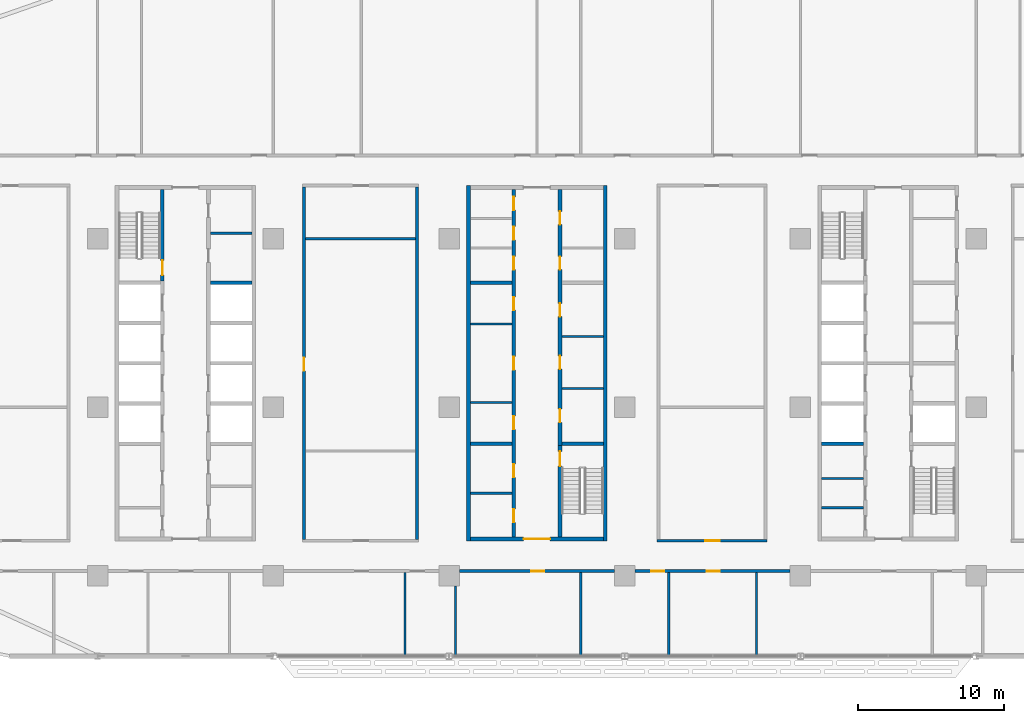
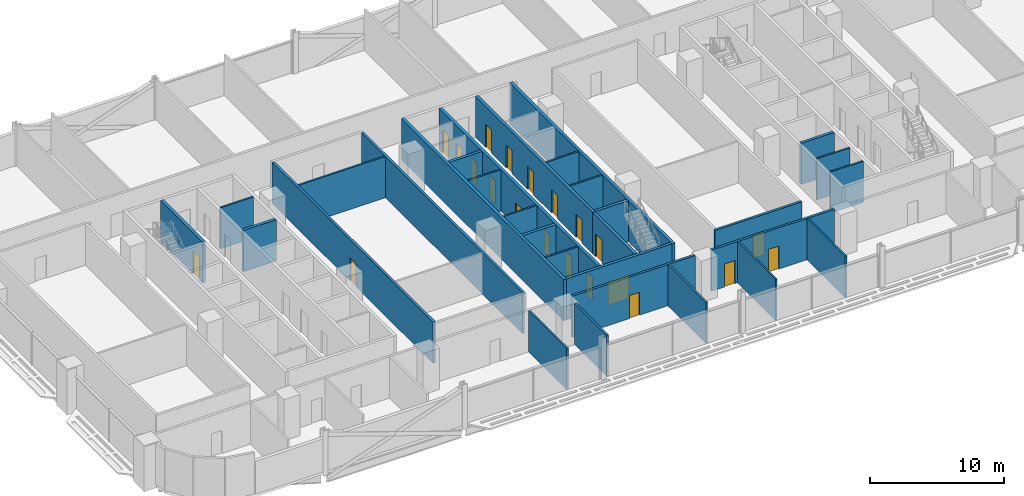
# One storey, part 13 of 29: 31 walls, 21 doors, 21 openings.
"""IFC4 building model written with IfcOpenShell, lengths in metres."""

from ifc_helpers import new_model, si_unit, direction, frame, frame_2d, origin, place, context, subcontext, project, spatial, rectangle, extrude, material, layer, layer_set, type_object, element, fill, save


model = new_model("IFC4")

# Units and contexts
model_context = context("Model", 3, precision=1e-05, world=origin(), true_north=direction((0.0, 1.0)))
body_context = subcontext(model_context, "Body", "Model", "MODEL_VIEW")
ifc_project = project(units=[si_unit("LENGTHUNIT", "METRE"), si_unit("AREAUNIT", "SQUARE_METRE"), si_unit("VOLUMEUNIT", "CUBIC_METRE"), si_unit("PLANEANGLEUNIT", "RADIAN"), si_unit("MASSUNIT", "GRAM", prefix="KILO")], contexts=[model_context])

# Site, building, storey
site_placement = place(None, origin())
site = spatial("IfcSite", under=ifc_project, at=site_placement, CompositionType="ELEMENT")
building_placement = place(site_placement, origin())
building = spatial("IfcBuilding", under=site, at=building_placement, Name="Mahtab Terrace Research Tower", CompositionType="ELEMENT")
storey_placement = place(building_placement, frame((0.0, 0.0, 88.89990234375)))
storey = spatial("IfcBuildingStorey", under=building, at=storey_placement, Name="L20", CompositionType="ELEMENT", Elevation=88.89990234375)

# Walls
ifc_material_1 = material(Name="Gypsum board partition")
ifc_layer_1 = layer(ifc_material_1, 0.14990234375)
ifc_layer_set_1 = layer_set([ifc_layer_1], Name="Core partition 150")
wall_type_1 = type_object("IfcWallType", Name="Core partition 150", PredefinedType="PARTITIONING", material=ifc_layer_set_1)
for number, where, z_axis, x_axis, name in (
    (1, (-22.300048828125, 11.875, 0.0), (0.0, 0.0, 1.0), (1.0, 0.0, 0.0), "Core wall A pEN888"),
    (2, (-4.550048828125, 0.3125, 0.0), (0.0, 0.0, 1.0), (1.0, 0.0, 0.0), "Core wall B pWL-269"),
    (3, (-4.550048828125, 5.6875, 0.0), (0.0, 0.0, 1.0), (1.0, 0.0, 0.0), "Core wall B pWL269"),
    (4, (1.699951171875, 1.280029296875, 0.0), (0.0, 0.0, 1.0), (1.0, 0.0, 0.0), "Core wall B pEL-172"),
    (5, (1.699951171875, 4.827392578125, 0.0), (0.0, 0.0, 1.0), (1.0, 0.0, 0.0), "Core wall B pEL183"),
    (6, (-4.550048828125, -5.875, 0.0), (0.0, 0.0, 1.0), (1.0, 0.0, 0.0), "Core wall B pWS-888"),
    (7, (19.449951171875, -6.875, 0.0), (0.0, 0.0, 1.0), (1.0, 0.0, 0.0), "Core wall C pWS-988"),
    (8, (19.449951171875, -4.875, 0.0), (0.0, 0.0, 1.0), (1.0, 0.0, 0.0), "Core wall C pWS-788"),
):
    element("IfcWall", number, at=place(storey_placement, frame(where, z_axis=z_axis, x_axis=x_axis)), inside=storey, type_object=wall_type_1, Name=name, PredefinedType="PARTITIONING", context=body_context, shape_type="SweptSolid", body=[
        extrude(rectangle(XDim=2.85009765625, YDim=0.14990234375, at=frame_2d((1.425048828125, 0.0))), origin(), (0.0, 0.0, 1.0), 3.760009765625),
    ])

# Wall, opening, door
ifc_material_2 = material(Name="Concrete C70/85", Category="concrete")
ifc_layer_2 = layer(ifc_material_2, 0.25)
ifc_layer_set_2 = layer_set([ifc_layer_2], Name="Core wall 250")
wall_type_2 = type_object("IfcWallType", Name="Core wall 250", PredefinedType="SOLIDWALL", material=ifc_layer_set_2)
wall_1_placement = place(storey_placement, frame((-25.574951171875, 14.875, 0.0), z_axis=(0.0, 0.0, 1.0), x_axis=(0.0, -1.0, 0.0)))
wall_1 = element("IfcWall", 9, at=wall_1_placement, inside=storey, type_object=wall_type_2, Name="Core wall A innerWN", PredefinedType="SOLIDWALL", context=body_context, shape_type="SweptSolid", body=[
    extrude(rectangle(XDim=6.25, YDim=0.25, at=frame_2d((3.125, 0.0))), origin(), (0.0, 0.0, 1.0), 3.760009765625),
])
opening_1_placement = place(wall_1_placement, frame((4.85009765625, 0.0, 0.0)))
opening_1 = element("IfcOpeningElement", 10, at=opening_1_placement, cuts=wall_1, Name="Opening A-ST1", PredefinedType="OPENING", context=body_context, shape_type="SweptSolid", body=[
    extrude(rectangle(XDim=1.0, YDim=2.10009765625, at=frame_2d((0.5, 1.050048828125))), frame((0.0, 0.135009765625, 0.0), z_axis=(0.0, -1.0, 0.0), x_axis=(1.0, 0.0, 0.0)), (0.0, 0.0, 1.0), 0.27001953125),
])
ifc_material_3 = material(Name="Steel fire door", Category="steel")
door_type_1 = type_object("IfcDoorType", Name="Stair door 1000x2100 1.5 HR", OperationType="NOTDEFINED", PredefinedType="DOOR", material=ifc_material_3)
door_1_placement = place(opening_1_placement, origin())
door_1 = element("IfcDoor", 11, at=door_1_placement, inside=storey, type_object=door_type_1, Name="Stair door ST1 L20", OperationType="SINGLE_SWING_LEFT", OverallHeight=2.10009765625, OverallWidth=1.0, PredefinedType="DOOR", context=body_context, shape_type="SweptSolid", body=[
    extrude(rectangle(XDim=1.0, YDim=2.10009765625, at=frame_2d((0.5, 1.050048828125))), frame((0.0, 0.02490234375, 0.0), z_axis=(0.0, -1.0, 0.0), x_axis=(1.0, 0.0, 0.0)), (0.0, 0.0, 1.0), 0.050048828125),
])
fill(opening_1, door_1)

# Walls
wall_2_placement = place(storey_placement, frame((-22.300048828125, 8.5, 0.0), z_axis=(0.0, 0.0, 1.0), x_axis=(1.0, 0.0, 0.0)))
element("IfcWall", 12, at=wall_2_placement, inside=storey, type_object=wall_type_2, Name="Core wall A divE4", PredefinedType="SOLIDWALL", context=body_context, shape_type="SweptSolid", body=[
    extrude(rectangle(XDim=2.85009765625, YDim=0.25, at=frame_2d((1.425048828125, 0.0))), origin(), (0.0, 0.0, 1.0), 3.760009765625),
])
for number, where, z_axis, x_axis, name in (
    (13, (-4.675048828125, 15.125, 0.0), (0.0, 0.0, 1.0), (0.0, -1.0, 0.0), "Core wall B outerW"),
    (14, (4.675048828125, -9.125, 0.0), (0.0, 0.0, 1.0), (0.0, 1.0, 0.0), "Core wall B outerE"),
):
    element("IfcWall", number, at=place(storey_placement, frame(where, z_axis=z_axis, x_axis=x_axis)), inside=storey, type_object=wall_type_2, Name=name, PredefinedType="SOLIDWALL", context=body_context, shape_type="SweptSolid", body=[
        extrude(rectangle(XDim=24.25, YDim=0.25, at=frame_2d((12.125, 0.0))), origin(), (0.0, 0.0, 1.0), 3.760009765625),
    ])

# Wall, opening, door
wall_3_placement = place(storey_placement, frame((4.550048828125, -9.0, 0.0), z_axis=(0.0, 0.0, 1.0), x_axis=(-1.0, 0.0, 0.0)))
wall_3 = element("IfcWall", 15, at=wall_3_placement, inside=storey, type_object=wall_type_2, Name="Core wall B endS", PredefinedType="SOLIDWALL", context=body_context, shape_type="SweptSolid", body=[
    extrude(rectangle(XDim=9.10009765625, YDim=0.25, at=frame_2d((4.550048828125, 0.0))), origin(), (0.0, 0.0, 1.0), 3.760009765625),
])
opening_2_placement = place(wall_3_placement, frame((3.64990234375, 0.0, 0.0)))
opening_2 = element("IfcOpeningElement", 16, at=opening_2_placement, cuts=wall_3, Name="Opening B-S1", PredefinedType="OPENING", context=body_context, shape_type="SweptSolid", body=[
    extrude(rectangle(XDim=1.800048828125, YDim=2.10009765625, at=frame_2d((0.89990234375, 1.050048828125))), frame((0.0, 0.135009765625, 0.0), z_axis=(0.0, -1.0, 0.0), x_axis=(1.0, 0.0, 0.0)), (0.0, 0.0, 1.0), 0.27001953125),
])
door_type_2 = type_object("IfcDoorType", Name="Lobby double door 1800x2100 1 HR", OperationType="DOUBLE_DOOR_SINGLE_SWING", PredefinedType="DOOR", material=ifc_material_3)
door_2_placement = place(opening_2_placement, origin())
door_2 = element("IfcDoor", 17, at=door_2_placement, inside=storey, type_object=door_type_2, Name="Core entrance door B S", OperationType="DOUBLE_DOOR_SINGLE_SWING", OverallHeight=2.10009765625, OverallWidth=1.800048828125, PredefinedType="DOOR", context=body_context, shape_type="SweptSolid", body=[
    extrude(rectangle(XDim=1.800048828125, YDim=2.10009765625, at=frame_2d((0.89990234375, 1.050048828125))), frame((0.0, 0.02490234375, 0.0), z_axis=(0.0, -1.0, 0.0), x_axis=(1.0, 0.0, 0.0)), (0.0, 0.0, 1.0), 0.050048828125),
])
fill(opening_2, door_2)

# Wall, openings, doors
wall_4_placement = place(storey_placement, frame((-1.574951171875, -8.875, 0.0), z_axis=(0.0, 0.0, 1.0), x_axis=(0.0, 1.0, 0.0)))
wall_4 = element("IfcWall", 18, at=wall_4_placement, inside=storey, type_object=wall_type_2, Name="Core wall B innerWSLN", PredefinedType="SOLIDWALL", context=body_context, shape_type="SweptSolid", body=[
    extrude(rectangle(XDim=23.75, YDim=0.25, at=frame_2d((11.875, 0.0))), origin(), (0.0, 0.0, 1.0), 3.760009765625),
])
opening_3_placement = place(wall_4_placement, frame((7.356201171875, 0.0, 0.0)))
opening_3 = element("IfcOpeningElement", 19, at=opening_3_placement, cuts=wall_4, Name="Opening B-R1", PredefinedType="OPENING", context=body_context, shape_type="SweptSolid", body=[
    extrude(rectangle(XDim=0.89990234375, YDim=2.10009765625, at=frame_2d((0.449951171875, 1.050048828125))), frame((0.0, 0.135009765625, 0.0), z_axis=(0.0, -1.0, 0.0), x_axis=(1.0, 0.0, 0.0)), (0.0, 0.0, 1.0), 0.27001953125),
])
opening_4_placement = place(wall_4_placement, frame((11.425048828125, 0.0, 0.0)))
opening_4 = element("IfcOpeningElement", 20, at=opening_4_placement, cuts=wall_4, Name="Opening B-R2", PredefinedType="OPENING", context=body_context, shape_type="SweptSolid", body=[
    extrude(rectangle(XDim=0.89990234375, YDim=2.10009765625, at=frame_2d((0.449951171875, 1.050048828125))), frame((0.0, 0.135009765625, 0.0), z_axis=(0.0, -1.0, 0.0), x_axis=(1.0, 0.0, 0.0)), (0.0, 0.0, 1.0), 0.27001953125),
])
opening_5_placement = place(wall_4_placement, frame((15.493896484375, 0.0, 0.0)))
opening_5 = element("IfcOpeningElement", 21, at=opening_5_placement, cuts=wall_4, Name="Opening B-R3", PredefinedType="OPENING", context=body_context, shape_type="SweptSolid", body=[
    extrude(rectangle(XDim=0.89990234375, YDim=2.10009765625, at=frame_2d((0.449951171875, 1.050048828125))), frame((0.0, 0.135009765625, 0.0), z_axis=(0.0, -1.0, 0.0), x_axis=(1.0, 0.0, 0.0)), (0.0, 0.0, 1.0), 0.27001953125),
])
opening_6_placement = place(wall_4_placement, frame((1.012451171875, 0.0, 0.0)))
opening_6 = element("IfcOpeningElement", 22, at=opening_6_placement, cuts=wall_4, Name="Opening B-R7", PredefinedType="OPENING", context=body_context, shape_type="SweptSolid", body=[
    extrude(rectangle(XDim=0.89990234375, YDim=2.10009765625, at=frame_2d((0.449951171875, 1.050048828125))), frame((0.0, 0.135009765625, 0.0), z_axis=(0.0, -1.0, 0.0), x_axis=(1.0, 0.0, 0.0)), (0.0, 0.0, 1.0), 0.27001953125),
])
opening_7_placement = place(wall_4_placement, frame((4.08740234375, 0.0, 0.0)))
opening_7 = element("IfcOpeningElement", 23, at=opening_7_placement, cuts=wall_4, Name="Opening B-R8", PredefinedType="OPENING", context=body_context, shape_type="SweptSolid", body=[
    extrude(rectangle(XDim=0.89990234375, YDim=2.10009765625, at=frame_2d((0.449951171875, 1.050048828125))), frame((0.0, 0.135009765625, 0.0), z_axis=(0.0, -1.0, 0.0), x_axis=(1.0, 0.0, 0.0)), (0.0, 0.0, 1.0), 0.27001953125),
])
opening_8_placement = place(wall_4_placement, frame((18.262451171875, 0.0, 0.0)))
opening_8 = element("IfcOpeningElement", 24, at=opening_8_placement, cuts=wall_4, Name="Opening B-R9", PredefinedType="OPENING", context=body_context, shape_type="SweptSolid", body=[
    extrude(rectangle(XDim=0.89990234375, YDim=2.10009765625, at=frame_2d((0.449951171875, 1.050048828125))), frame((0.0, 0.135009765625, 0.0), z_axis=(0.0, -1.0, 0.0), x_axis=(1.0, 0.0, 0.0)), (0.0, 0.0, 1.0), 0.27001953125),
])
opening_9_placement = place(wall_4_placement, frame((20.300048828125, 0.0, 0.0)))
opening_9 = element("IfcOpeningElement", 25, at=opening_9_placement, cuts=wall_4, Name="Opening B-R10", PredefinedType="OPENING", context=body_context, shape_type="SweptSolid", body=[
    extrude(rectangle(XDim=0.89990234375, YDim=2.10009765625, at=frame_2d((0.449951171875, 1.050048828125))), frame((0.0, 0.135009765625, 0.0), z_axis=(0.0, -1.0, 0.0), x_axis=(1.0, 0.0, 0.0)), (0.0, 0.0, 1.0), 0.27001953125),
])
opening_10_placement = place(wall_4_placement, frame((22.33740234375, 0.0, 0.0)))
opening_10 = element("IfcOpeningElement", 26, at=opening_10_placement, cuts=wall_4, Name="Opening B-R11", PredefinedType="OPENING", context=body_context, shape_type="SweptSolid", body=[
    extrude(rectangle(XDim=0.89990234375, YDim=2.10009765625, at=frame_2d((0.449951171875, 1.050048828125))), frame((0.0, 0.135009765625, 0.0), z_axis=(0.0, -1.0, 0.0), x_axis=(1.0, 0.0, 0.0)), (0.0, 0.0, 1.0), 0.27001953125),
])
door_type_3 = type_object("IfcDoorType", Name="Room door 900x2100 1 HR", OperationType="NOTDEFINED", PredefinedType="DOOR", material=ifc_material_3)
door_3_placement = place(opening_3_placement, origin())
door_3 = element("IfcDoor", 27, at=door_3_placement, inside=storey, type_object=door_type_3, Name="Comms room door", OperationType="SINGLE_SWING_LEFT", OverallHeight=2.10009765625, OverallWidth=0.89990234375, PredefinedType="DOOR", context=body_context, shape_type="SweptSolid", body=[
    extrude(rectangle(XDim=0.89990234375, YDim=2.10009765625, at=frame_2d((0.449951171875, 1.050048828125))), frame((0.0, 0.02490234375, 0.0), z_axis=(0.0, -1.0, 0.0), x_axis=(1.0, 0.0, 0.0)), (0.0, 0.0, 1.0), 0.050048828125),
])
fill(opening_3, door_3)
door_4_placement = place(opening_4_placement, origin())
door_4 = element("IfcDoor", 28, at=door_4_placement, inside=storey, type_object=door_type_3, Name="Meeting alcove door", OperationType="SINGLE_SWING_RIGHT", OverallHeight=2.10009765625, OverallWidth=0.89990234375, PredefinedType="DOOR", context=body_context, shape_type="SweptSolid", body=[
    extrude(rectangle(XDim=0.89990234375, YDim=2.10009765625, at=frame_2d((0.449951171875, 1.050048828125))), frame((0.0, 0.02490234375, 0.0), z_axis=(0.0, -1.0, 0.0), x_axis=(1.0, 0.0, 0.0)), (0.0, 0.0, 1.0), 0.050048828125),
])
fill(opening_4, door_4)
door_5_placement = place(opening_5_placement, origin())
door_5 = element("IfcDoor", 29, at=door_5_placement, inside=storey, type_object=door_type_3, Name="Linen store door", OperationType="SINGLE_SWING_LEFT", OverallHeight=2.10009765625, OverallWidth=0.89990234375, PredefinedType="DOOR", context=body_context, shape_type="SweptSolid", body=[
    extrude(rectangle(XDim=0.89990234375, YDim=2.10009765625, at=frame_2d((0.449951171875, 1.050048828125))), frame((0.0, 0.02490234375, 0.0), z_axis=(0.0, -1.0, 0.0), x_axis=(1.0, 0.0, 0.0)), (0.0, 0.0, 1.0), 0.050048828125),
])
fill(opening_5, door_5)
door_6_placement = place(opening_6_placement, origin())
door_6 = element("IfcDoor", 30, at=door_6_placement, inside=storey, type_object=door_type_3, Name="Housekeeping store door", OperationType="SINGLE_SWING_LEFT", OverallHeight=2.10009765625, OverallWidth=0.89990234375, PredefinedType="DOOR", context=body_context, shape_type="SweptSolid", body=[
    extrude(rectangle(XDim=0.89990234375, YDim=2.10009765625, at=frame_2d((0.449951171875, 1.050048828125))), frame((0.0, 0.02490234375, 0.0), z_axis=(0.0, -1.0, 0.0), x_axis=(1.0, 0.0, 0.0)), (0.0, 0.0, 1.0), 0.050048828125),
])
fill(opening_6, door_6)
door_7_placement = place(opening_7_placement, origin())
door_7 = element("IfcDoor", 31, at=door_7_placement, inside=storey, type_object=door_type_3, Name="Electrical riser room door", OperationType="SINGLE_SWING_RIGHT", OverallHeight=2.10009765625, OverallWidth=0.89990234375, PredefinedType="DOOR", context=body_context, shape_type="SweptSolid", body=[
    extrude(rectangle(XDim=0.89990234375, YDim=2.10009765625, at=frame_2d((0.449951171875, 1.050048828125))), frame((0.0, 0.02490234375, 0.0), z_axis=(0.0, -1.0, 0.0), x_axis=(1.0, 0.0, 0.0)), (0.0, 0.0, 1.0), 0.050048828125),
])
fill(opening_7, door_7)
door_8_placement = place(opening_8_placement, origin())
door_8 = element("IfcDoor", 32, at=door_8_placement, inside=storey, type_object=door_type_3, Name="Comms riser room door", OperationType="SINGLE_SWING_LEFT", OverallHeight=2.10009765625, OverallWidth=0.89990234375, PredefinedType="DOOR", context=body_context, shape_type="SweptSolid", body=[
    extrude(rectangle(XDim=0.89990234375, YDim=2.10009765625, at=frame_2d((0.449951171875, 1.050048828125))), frame((0.0, 0.02490234375, 0.0), z_axis=(0.0, -1.0, 0.0), x_axis=(1.0, 0.0, 0.0)), (0.0, 0.0, 1.0), 0.050048828125),
])
fill(opening_8, door_8)
door_9_placement = place(opening_9_placement, origin())
door_9 = element("IfcDoor", 33, at=door_9_placement, inside=storey, type_object=door_type_3, Name="Pantry door", OperationType="SINGLE_SWING_RIGHT", OverallHeight=2.10009765625, OverallWidth=0.89990234375, PredefinedType="DOOR", context=body_context, shape_type="SweptSolid", body=[
    extrude(rectangle(XDim=0.89990234375, YDim=2.10009765625, at=frame_2d((0.449951171875, 1.050048828125))), frame((0.0, 0.02490234375, 0.0), z_axis=(0.0, -1.0, 0.0), x_axis=(1.0, 0.0, 0.0)), (0.0, 0.0, 1.0), 0.050048828125),
])
fill(opening_9, door_9)
door_10_placement = place(opening_10_placement, origin())
door_10 = element("IfcDoor", 34, at=door_10_placement, inside=storey, type_object=door_type_3, Name="Cleaners store door", OperationType="SINGLE_SWING_LEFT", OverallHeight=2.10009765625, OverallWidth=0.89990234375, PredefinedType="DOOR", context=body_context, shape_type="SweptSolid", body=[
    extrude(rectangle(XDim=0.89990234375, YDim=2.10009765625, at=frame_2d((0.449951171875, 1.050048828125))), frame((0.0, 0.02490234375, 0.0), z_axis=(0.0, -1.0, 0.0), x_axis=(1.0, 0.0, 0.0)), (0.0, 0.0, 1.0), 0.050048828125),
])
fill(opening_10, door_10)

# Wall, opening, door
wall_5_placement = place(storey_placement, frame((1.574951171875, -8.875, 0.0), z_axis=(0.0, 0.0, 1.0), x_axis=(0.0, 1.0, 0.0)))
wall_5 = element("IfcWall", 35, at=wall_5_placement, inside=storey, type_object=wall_type_2, Name="Core wall B innerES", PredefinedType="SOLIDWALL", context=body_context, shape_type="SweptSolid", body=[
    extrude(rectangle(XDim=6.25, YDim=0.25, at=frame_2d((3.125, 0.0))), origin(), (0.0, 0.0, 1.0), 3.760009765625),
])
opening_11_placement = place(wall_5_placement, frame((4.85009765625, 0.0, 0.0)))
opening_11 = element("IfcOpeningElement", 36, at=opening_11_placement, cuts=wall_5, Name="Opening B-ST2", PredefinedType="OPENING", context=body_context, shape_type="SweptSolid", body=[
    extrude(rectangle(XDim=1.0, YDim=2.10009765625, at=frame_2d((0.5, 1.050048828125))), frame((0.0, 0.135009765625, 0.0), z_axis=(0.0, -1.0, 0.0), x_axis=(1.0, 0.0, 0.0)), (0.0, 0.0, 1.0), 0.27001953125),
])
door_11_placement = place(opening_11_placement, origin())
door_11 = element("IfcDoor", 37, at=door_11_placement, inside=storey, type_object=door_type_1, Name="Stair door ST2 L20", OperationType="SINGLE_SWING_RIGHT", OverallHeight=2.10009765625, OverallWidth=1.0, PredefinedType="DOOR", context=body_context, shape_type="SweptSolid", body=[
    extrude(rectangle(XDim=1.0, YDim=2.10009765625, at=frame_2d((0.5, 1.050048828125))), frame((0.0, 0.02490234375, 0.0), z_axis=(0.0, -1.0, 0.0), x_axis=(1.0, 0.0, 0.0)), (0.0, 0.0, 1.0), 0.050048828125),
])
fill(opening_11, door_11)

# Wall, openings, doors
wall_6_placement = place(storey_placement, frame((1.574951171875, 14.875, 0.0), z_axis=(0.0, 0.0, 1.0), x_axis=(0.0, -1.0, 0.0)))
wall_6 = element("IfcWall", 38, at=wall_6_placement, inside=storey, type_object=wall_type_2, Name="Core wall B innerELN", PredefinedType="SOLIDWALL", context=body_context, shape_type="SweptSolid", body=[
    extrude(rectangle(XDim=17.5, YDim=0.25, at=frame_2d((8.75, 0.0))), origin(), (0.0, 0.0, 1.0), 3.760009765625),
])
opening_12_placement = place(wall_6_placement, frame((15.010009765625, 0.0, 0.0)))
opening_12 = element("IfcOpeningElement", 39, at=opening_12_placement, cuts=wall_6, Name="Opening B-R4", PredefinedType="OPENING", context=body_context, shape_type="SweptSolid", body=[
    extrude(rectangle(XDim=0.89990234375, YDim=2.10009765625, at=frame_2d((0.449951171875, 1.050048828125))), frame((0.0, 0.135009765625, 0.0), z_axis=(0.0, -1.0, 0.0), x_axis=(1.0, 0.0, 0.0)), (0.0, 0.0, 1.0), 0.27001953125),
])
opening_13_placement = place(wall_6_placement, frame((11.37109375, 0.0, 0.0)))
opening_13 = element("IfcOpeningElement", 40, at=opening_13_placement, cuts=wall_6, Name="Opening B-R5", PredefinedType="OPENING", context=body_context, shape_type="SweptSolid", body=[
    extrude(rectangle(XDim=0.89990234375, YDim=2.10009765625, at=frame_2d((0.449951171875, 1.050048828125))), frame((0.0, 0.135009765625, 0.0), z_axis=(0.0, -1.0, 0.0), x_axis=(1.0, 0.0, 0.0)), (0.0, 0.0, 1.0), 0.27001953125),
])
opening_14_placement = place(wall_6_placement, frame((7.7861328125, 0.0, 0.0)))
opening_14 = element("IfcOpeningElement", 41, at=opening_14_placement, cuts=wall_6, Name="Opening B-R6", PredefinedType="OPENING", context=body_context, shape_type="SweptSolid", body=[
    extrude(rectangle(XDim=0.89990234375, YDim=2.10009765625, at=frame_2d((0.449951171875, 1.050048828125))), frame((0.0, 0.135009765625, 0.0), z_axis=(0.0, -1.0, 0.0), x_axis=(1.0, 0.0, 0.0)), (0.0, 0.0, 1.0), 0.27001953125),
])
opening_15_placement = place(wall_6_placement, frame((4.58740234375, 0.0, 0.0)))
opening_15 = element("IfcOpeningElement", 42, at=opening_15_placement, cuts=wall_6, Name="Opening B-R12", PredefinedType="OPENING", context=body_context, shape_type="SweptSolid", body=[
    extrude(rectangle(XDim=0.89990234375, YDim=2.10009765625, at=frame_2d((0.449951171875, 1.050048828125))), frame((0.0, 0.135009765625, 0.0), z_axis=(0.0, -1.0, 0.0), x_axis=(1.0, 0.0, 0.0)), (0.0, 0.0, 1.0), 0.27001953125),
])
opening_16_placement = place(wall_6_placement, frame((1.512451171875, 0.0, 0.0)))
opening_16 = element("IfcOpeningElement", 43, at=opening_16_placement, cuts=wall_6, Name="Opening B-R13", PredefinedType="OPENING", context=body_context, shape_type="SweptSolid", body=[
    extrude(rectangle(XDim=0.89990234375, YDim=2.10009765625, at=frame_2d((0.449951171875, 1.050048828125))), frame((0.0, 0.135009765625, 0.0), z_axis=(0.0, -1.0, 0.0), x_axis=(1.0, 0.0, 0.0)), (0.0, 0.0, 1.0), 0.27001953125),
])
door_12_placement = place(opening_12_placement, origin())
door_12 = element("IfcDoor", 44, at=door_12_placement, inside=storey, type_object=door_type_3, Name="Battery room door", OperationType="SINGLE_SWING_RIGHT", OverallHeight=2.10009765625, OverallWidth=0.89990234375, PredefinedType="DOOR", context=body_context, shape_type="SweptSolid", body=[
    extrude(rectangle(XDim=0.89990234375, YDim=2.10009765625, at=frame_2d((0.449951171875, 1.050048828125))), frame((0.0, 0.02490234375, 0.0), z_axis=(0.0, -1.0, 0.0), x_axis=(1.0, 0.0, 0.0)), (0.0, 0.0, 1.0), 0.050048828125),
])
fill(opening_12, door_12)
door_13_placement = place(opening_13_placement, origin())
door_13 = element("IfcDoor", 45, at=door_13_placement, inside=storey, type_object=door_type_3, Name="Cooling plant room door", OperationType="SINGLE_SWING_LEFT", OverallHeight=2.10009765625, OverallWidth=0.89990234375, PredefinedType="DOOR", context=body_context, shape_type="SweptSolid", body=[
    extrude(rectangle(XDim=0.89990234375, YDim=2.10009765625, at=frame_2d((0.449951171875, 1.050048828125))), frame((0.0, 0.02490234375, 0.0), z_axis=(0.0, -1.0, 0.0), x_axis=(1.0, 0.0, 0.0)), (0.0, 0.0, 1.0), 0.050048828125),
])
fill(opening_13, door_13)
door_14_placement = place(opening_14_placement, origin())
door_14 = element("IfcDoor", 46, at=door_14_placement, inside=storey, type_object=door_type_3, Name="Spare parts store door", OperationType="SINGLE_SWING_RIGHT", OverallHeight=2.10009765625, OverallWidth=0.89990234375, PredefinedType="DOOR", context=body_context, shape_type="SweptSolid", body=[
    extrude(rectangle(XDim=0.89990234375, YDim=2.10009765625, at=frame_2d((0.449951171875, 1.050048828125))), frame((0.0, 0.02490234375, 0.0), z_axis=(0.0, -1.0, 0.0), x_axis=(1.0, 0.0, 0.0)), (0.0, 0.0, 1.0), 0.050048828125),
])
fill(opening_14, door_14)
door_15_placement = place(opening_15_placement, origin())
door_15 = element("IfcDoor", 47, at=door_15_placement, inside=storey, type_object=door_type_3, Name="Accessible WC door", OperationType="SINGLE_SWING_RIGHT", OverallHeight=2.10009765625, OverallWidth=0.89990234375, PredefinedType="DOOR", context=body_context, shape_type="SweptSolid", body=[
    extrude(rectangle(XDim=0.89990234375, YDim=2.10009765625, at=frame_2d((0.449951171875, 1.050048828125))), frame((0.0, 0.02490234375, 0.0), z_axis=(0.0, -1.0, 0.0), x_axis=(1.0, 0.0, 0.0)), (0.0, 0.0, 1.0), 0.050048828125),
])
fill(opening_15, door_15)
door_16_placement = place(opening_16_placement, origin())
door_16 = element("IfcDoor", 48, at=door_16_placement, inside=storey, type_object=door_type_3, Name="WC block door", OperationType="SINGLE_SWING_LEFT", OverallHeight=2.10009765625, OverallWidth=0.89990234375, PredefinedType="DOOR", context=body_context, shape_type="SweptSolid", body=[
    extrude(rectangle(XDim=0.89990234375, YDim=2.10009765625, at=frame_2d((0.449951171875, 1.050048828125))), frame((0.0, 0.02490234375, 0.0), z_axis=(0.0, -1.0, 0.0), x_axis=(1.0, 0.0, 0.0)), (0.0, 0.0, 1.0), 0.050048828125),
])
fill(opening_16, door_16)

# Walls
for number, where, z_axis, x_axis, name in (
    (49, (-4.550048828125, -2.5, 0.0), (0.0, 0.0, 1.0), (1.0, 0.0, 0.0), "Core wall B divW0"),
    (50, (-4.550048828125, 8.5, 0.0), (0.0, 0.0, 1.0), (1.0, 0.0, 0.0), "Core wall B divW4"),
    (51, (1.699951171875, -2.5, 0.0), (0.0, 0.0, 1.0), (1.0, 0.0, 0.0), "Core wall B divE0"),
    (52, (19.449951171875, -2.5, 0.0), (0.0, 0.0, 1.0), (1.0, 0.0, 0.0), "Core wall C divW0"),
):
    element("IfcWall", number, at=place(storey_placement, frame(where, z_axis=z_axis, x_axis=x_axis)), inside=storey, type_object=wall_type_2, Name=name, PredefinedType="SOLIDWALL", context=body_context, shape_type="SweptSolid", body=[
        extrude(rectangle(XDim=2.85009765625, YDim=0.25, at=frame_2d((1.425048828125, 0.0))), origin(), (0.0, 0.0, 1.0), 3.760009765625),
    ])

# Wall, opening, door
ifc_material_4 = material(Name="Gypsum board corridor wall on steel studs", Category="steel")
ifc_layer_3 = layer(ifc_material_4, 0.199951171875)
ifc_layer_set_3 = layer_set([ifc_layer_3], Name="WALL CORRIDOR 200")
wall_type_3 = type_object("IfcWallType", Name="WALL CORRIDOR 200", PredefinedType="PARTITIONING", material=ifc_layer_set_3)
wall_7_placement = place(storey_placement, frame((-5.300048828125, -11.199951171875, 0.0), z_axis=(0.0, 0.0, 1.0), x_axis=(1.0, 0.0, 0.0)))
wall_7 = element("IfcWall", 53, at=wall_7_placement, inside=storey, type_object=wall_type_3, Name="L20-W004", PredefinedType="PARTITIONING", context=body_context, shape_type="SweptSolid", body=[
    extrude(rectangle(XDim=10.60009765625, YDim=0.199951171875, at=frame_2d((5.300048828125, 0.0))), origin(), (0.0, 0.0, 1.0), 3.760009765625),
])
opening_17_placement = place(wall_7_placement, frame((4.89990234375, 0.0, 0.0)))
opening_17 = element("IfcOpeningElement", 54, at=opening_17_placement, cuts=wall_7, Name="Opening L20-106", PredefinedType="OPENING", context=body_context, shape_type="SweptSolid", body=[
    extrude(rectangle(XDim=0.89990234375, YDim=2.10009765625, at=frame_2d((0.449951171875, 1.050048828125))), frame((0.0, 0.10986328125, 0.0), z_axis=(0.0, -1.0, 0.0), x_axis=(1.0, 0.0, 0.0)), (0.0, 0.0, 1.0), 0.219970703125),
])
ifc_material_5 = material(Name="Timber door leaf in steel frame", Category="steel")
door_type_4 = type_object("IfcDoorType", Name="DOOR 0900X2100 FD30S", OperationType="SINGLE_SWING_LEFT", PredefinedType="DOOR", material=ifc_material_5)
door_17_placement = place(opening_17_placement, origin())
door_17 = element("IfcDoor", 55, at=door_17_placement, inside=storey, type_object=door_type_4, Name="Door L20-106", OperationType="SINGLE_SWING_LEFT", OverallHeight=2.10009765625, OverallWidth=0.89990234375, PredefinedType="DOOR", context=body_context, shape_type="SweptSolid", body=[
    extrude(rectangle(XDim=0.89990234375, YDim=2.10009765625, at=frame_2d((0.449951171875, 1.050048828125))), frame((0.0, 0.02490234375, 0.0), z_axis=(0.0, -1.0, 0.0), x_axis=(1.0, 0.0, 0.0)), (0.0, 0.0, 1.0), 0.050048828125),
])
fill(opening_17, door_17)

# Wall, openings, doors
wall_8_placement = place(storey_placement, frame((6.699951171875, -11.199951171875, 0.0), z_axis=(0.0, 0.0, 1.0), x_axis=(1.0, 0.0, 0.0)))
wall_8 = element("IfcWall", 56, at=wall_8_placement, inside=storey, type_object=wall_type_3, Name="L20-W005", PredefinedType="PARTITIONING", context=body_context, shape_type="SweptSolid", body=[
    extrude(rectangle(XDim=10.60009765625, YDim=0.199951171875, at=frame_2d((5.300048828125, 0.0))), origin(), (0.0, 0.0, 1.0), 3.760009765625),
])
opening_18_placement = place(wall_8_placement, frame((1.10009765625, 0.0, 0.0)))
opening_18 = element("IfcOpeningElement", 57, at=opening_18_placement, cuts=wall_8, Name="Opening L20-107", PredefinedType="OPENING", context=body_context, shape_type="SweptSolid", body=[
    extrude(rectangle(XDim=0.89990234375, YDim=2.10009765625, at=frame_2d((0.449951171875, 1.050048828125))), frame((0.0, 0.10986328125, 0.0), z_axis=(0.0, -1.0, 0.0), x_axis=(1.0, 0.0, 0.0)), (0.0, 0.0, 1.0), 0.219970703125),
])
opening_19_placement = place(wall_8_placement, frame((4.89990234375, 0.0, 0.0)))
opening_19 = element("IfcOpeningElement", 58, at=opening_19_placement, cuts=wall_8, Name="Opening L20-108", PredefinedType="OPENING", context=body_context, shape_type="SweptSolid", body=[
    extrude(rectangle(XDim=0.89990234375, YDim=2.10009765625, at=frame_2d((0.449951171875, 1.050048828125))), frame((0.0, 0.10986328125, 0.0), z_axis=(0.0, -1.0, 0.0), x_axis=(1.0, 0.0, 0.0)), (0.0, 0.0, 1.0), 0.219970703125),
])
door_18_placement = place(opening_18_placement, origin())
door_18 = element("IfcDoor", 59, at=door_18_placement, inside=storey, type_object=door_type_4, Name="Door L20-107", OperationType="SINGLE_SWING_RIGHT", OverallHeight=2.10009765625, OverallWidth=0.89990234375, PredefinedType="DOOR", context=body_context, shape_type="SweptSolid", body=[
    extrude(rectangle(XDim=0.89990234375, YDim=2.10009765625, at=frame_2d((0.449951171875, 1.050048828125))), frame((0.0, 0.02490234375, 0.0), z_axis=(0.0, -1.0, 0.0), x_axis=(1.0, 0.0, 0.0)), (0.0, 0.0, 1.0), 0.050048828125),
])
fill(opening_18, door_18)
door_19_placement = place(opening_19_placement, origin())
door_19 = element("IfcDoor", 60, at=door_19_placement, inside=storey, type_object=door_type_4, Name="Door L20-108", OperationType="SINGLE_SWING_LEFT", OverallHeight=2.10009765625, OverallWidth=0.89990234375, PredefinedType="DOOR", context=body_context, shape_type="SweptSolid", body=[
    extrude(rectangle(XDim=0.89990234375, YDim=2.10009765625, at=frame_2d((0.449951171875, 1.050048828125))), frame((0.0, 0.02490234375, 0.0), z_axis=(0.0, -1.0, 0.0), x_axis=(1.0, 0.0, 0.0)), (0.0, 0.0, 1.0), 0.050048828125),
])
fill(opening_19, door_19)

# Wall, opening, door
wall_9_placement = place(storey_placement, frame((8.199951171875, -9.125, 0.0), z_axis=(0.0, 0.0, 1.0), x_axis=(1.0, 0.0, 0.0)))
wall_9 = element("IfcWall", 61, at=wall_9_placement, inside=storey, type_object=wall_type_3, Name="L20-W011", PredefinedType="PARTITIONING", context=body_context, shape_type="SweptSolid", body=[
    extrude(rectangle(XDim=7.5, YDim=0.199951171875, at=frame_2d((3.75, 0.0))), origin(), (0.0, 0.0, 1.0), 3.760009765625),
])
opening_20_placement = place(wall_9_placement, frame((3.300048828125, 0.0, 0.0)))
opening_20 = element("IfcOpeningElement", 62, at=opening_20_placement, cuts=wall_9, Name="Opening L20-118", PredefinedType="OPENING", context=body_context, shape_type="SweptSolid", body=[
    extrude(rectangle(XDim=1.0, YDim=2.10009765625, at=frame_2d((0.5, 1.050048828125))), frame((0.0, 0.10986328125, 0.0), z_axis=(0.0, -1.0, 0.0), x_axis=(1.0, 0.0, 0.0)), (0.0, 0.0, 1.0), 0.219970703125),
])
door_type_5 = type_object("IfcDoorType", Name="DOOR 1000X2100 FD30S", OperationType="SINGLE_SWING_LEFT", PredefinedType="DOOR", material=ifc_material_5)
door_20_placement = place(opening_20_placement, origin())
door_20 = element("IfcDoor", 63, at=door_20_placement, inside=storey, type_object=door_type_5, Name="Door L20-118", OperationType="SINGLE_SWING_RIGHT", OverallHeight=2.10009765625, OverallWidth=1.0, PredefinedType="DOOR", context=body_context, shape_type="SweptSolid", body=[
    extrude(rectangle(XDim=1.0, YDim=2.10009765625, at=frame_2d((0.5, 1.050048828125))), frame((0.0, 0.02490234375, 0.0), z_axis=(0.0, -1.0, 0.0), x_axis=(1.0, 0.0, 0.0)), (0.0, 0.0, 1.0), 0.050048828125),
])
fill(opening_20, door_20)

wall_10_placement = place(storey_placement, frame((-15.89990234375, -9.02490234375, 0.0), z_axis=(0.0, 0.0, 1.0), x_axis=(0.0, 1.0, 0.0)))
wall_10 = element("IfcWall", 64, at=wall_10_placement, inside=storey, type_object=wall_type_3, Name="L20-W033", PredefinedType="PARTITIONING", context=body_context, shape_type="SweptSolid", body=[
    extrude(rectangle(XDim=24.0498046875, YDim=0.199951171875, at=frame_2d((12.02490234375, 0.0))), origin(), (0.0, 0.0, 1.0), 3.760009765625),
])
opening_21_placement = place(wall_10_placement, frame((11.5, 0.0, 0.0)))
opening_21 = element("IfcOpeningElement", 65, at=opening_21_placement, cuts=wall_10, Name="Opening L20-119", PredefinedType="OPENING", context=body_context, shape_type="SweptSolid", body=[
    extrude(rectangle(XDim=0.89990234375, YDim=2.10009765625, at=frame_2d((0.449951171875, 1.050048828125))), frame((0.0, 0.10986328125, 0.0), z_axis=(0.0, -1.0, 0.0), x_axis=(1.0, 0.0, 0.0)), (0.0, 0.0, 1.0), 0.219970703125),
])
door_21_placement = place(opening_21_placement, origin())
door_21 = element("IfcDoor", 66, at=door_21_placement, inside=storey, type_object=door_type_4, Name="Door L20-119", OperationType="SINGLE_SWING_RIGHT", OverallHeight=2.10009765625, OverallWidth=0.89990234375, PredefinedType="DOOR", context=body_context, shape_type="SweptSolid", body=[
    extrude(rectangle(XDim=0.89990234375, YDim=2.10009765625, at=frame_2d((0.449951171875, 1.050048828125))), frame((0.0, 0.02490234375, 0.0), z_axis=(0.0, -1.0, 0.0), x_axis=(1.0, 0.0, 0.0)), (0.0, 0.0, 1.0), 0.050048828125),
])
fill(opening_21, door_21)

# Walls
wall_11_placement = place(storey_placement, frame((-8.199951171875, -9.02490234375, 0.0), z_axis=(0.0, 0.0, 1.0), x_axis=(0.0, 1.0, 0.0)))
element("IfcWall", 67, at=wall_11_placement, inside=storey, type_object=wall_type_3, Name="L20-W036", PredefinedType="PARTITIONING", context=body_context, shape_type="SweptSolid", body=[
    extrude(rectangle(XDim=24.0498046875, YDim=0.199951171875, at=frame_2d((12.02490234375, 0.0))), origin(), (0.0, 0.0, 1.0), 3.760009765625),
])
ifc_material_6 = material(Name="Gypsum board partition on steel studs", Category="steel")
ifc_layer_4 = layer(ifc_material_6, 0.14990234375)
ifc_layer_set_4 = layer_set([ifc_layer_4], Name="WALL PARTITION 150")
wall_type_4 = type_object("IfcWallType", Name="WALL PARTITION 150", PredefinedType="PARTITIONING", material=ifc_layer_set_4)
wall_12_placement = place(storey_placement, frame((-15.800048828125, 11.5, 0.0), z_axis=(0.0, 0.0, 1.0), x_axis=(1.0, 0.0, 0.0)))
element("IfcWall", 68, at=wall_12_placement, inside=storey, type_object=wall_type_4, Name="L20-W017", PredefinedType="PARTITIONING", context=body_context, shape_type="SweptSolid", body=[
    extrude(rectangle(XDim=7.5, YDim=0.14990234375, at=frame_2d((3.75, 0.0))), origin(), (0.0, 0.0, 1.0), 3.760009765625),
])
wall_13_placement = place(storey_placement, frame((-9.0, -16.97509765625, 0.0), z_axis=(0.0, 0.0, 1.0), x_axis=(0.0, 1.0, 0.0)))
element("IfcWall", 69, at=wall_13_placement, inside=storey, type_object=wall_type_4, Name="L20-W035", PredefinedType="PARTITIONING", context=body_context, shape_type="SweptSolid", body=[
    extrude(rectangle(XDim=5.675048828125, YDim=0.14990234375, at=frame_2d((2.83740234375, 0.0))), origin(), (0.0, 0.0, 1.0), 3.760009765625),
])
wall_14_placement = place(storey_placement, frame((-5.550048828125, -16.97509765625, 0.0), z_axis=(0.0, 0.0, 1.0), x_axis=(0.0, 1.0, 0.0)))
element("IfcWall", 70, at=wall_14_placement, inside=storey, type_object=wall_type_4, Name="L20-W037", PredefinedType="PARTITIONING", context=body_context, shape_type="SweptSolid", body=[
    extrude(rectangle(XDim=4.775146484375, YDim=0.14990234375, at=frame_2d((2.3876953125, 0.0))), origin(), (0.0, 0.0, 1.0), 3.760009765625),
])
for number, where, z_axis, x_axis, name in (
    (71, (3.0, -16.97509765625, 0.0), (0.0, 0.0, 1.0), (0.0, 1.0, 0.0), "L20-W039"),
    (72, (9.0, -16.97509765625, 0.0), (0.0, 0.0, 1.0), (0.0, 1.0, 0.0), "L20-W042"),
    (73, (15.0, -16.97509765625, 0.0), (0.0, 0.0, 1.0), (0.0, 1.0, 0.0), "L20-W044"),
):
    element("IfcWall", number, at=place(storey_placement, frame(where, z_axis=z_axis, x_axis=x_axis)), inside=storey, type_object=wall_type_4, Name=name, PredefinedType="PARTITIONING", context=body_context, shape_type="SweptSolid", body=[
        extrude(rectangle(XDim=5.675048828125, YDim=0.14990234375, at=frame_2d((2.83740234375, 0.0))), origin(), (0.0, 0.0, 1.0), 3.760009765625),
    ])

save(model, "model.ifc")
